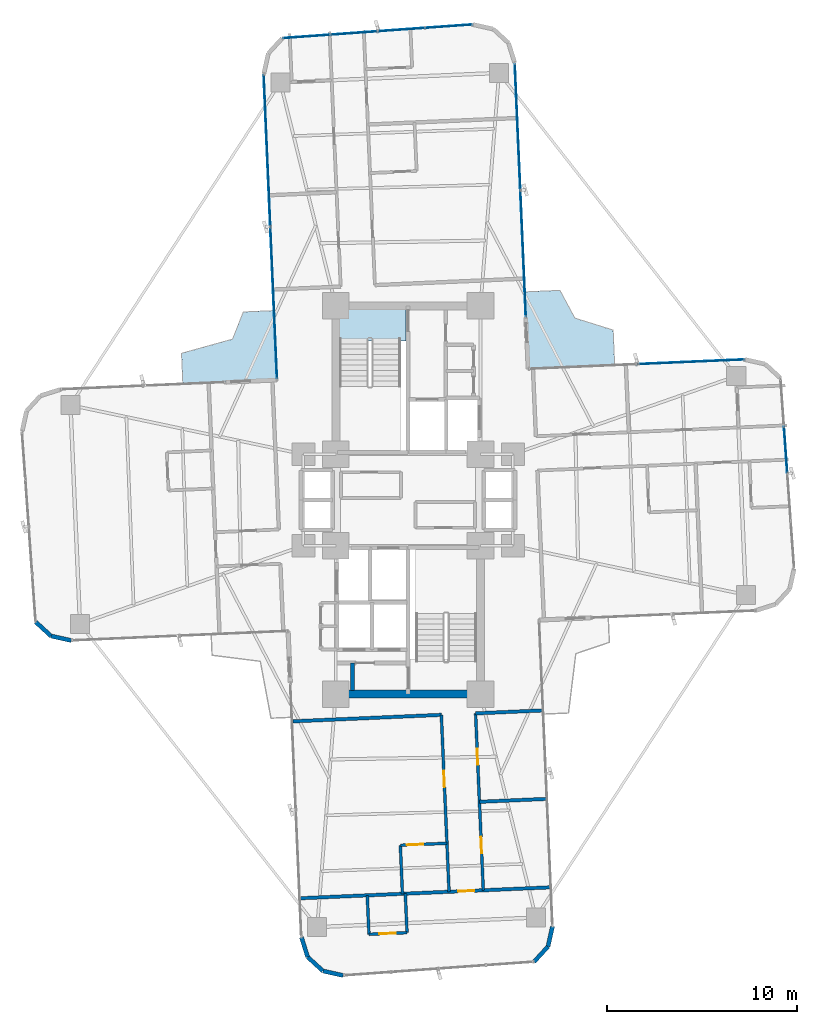
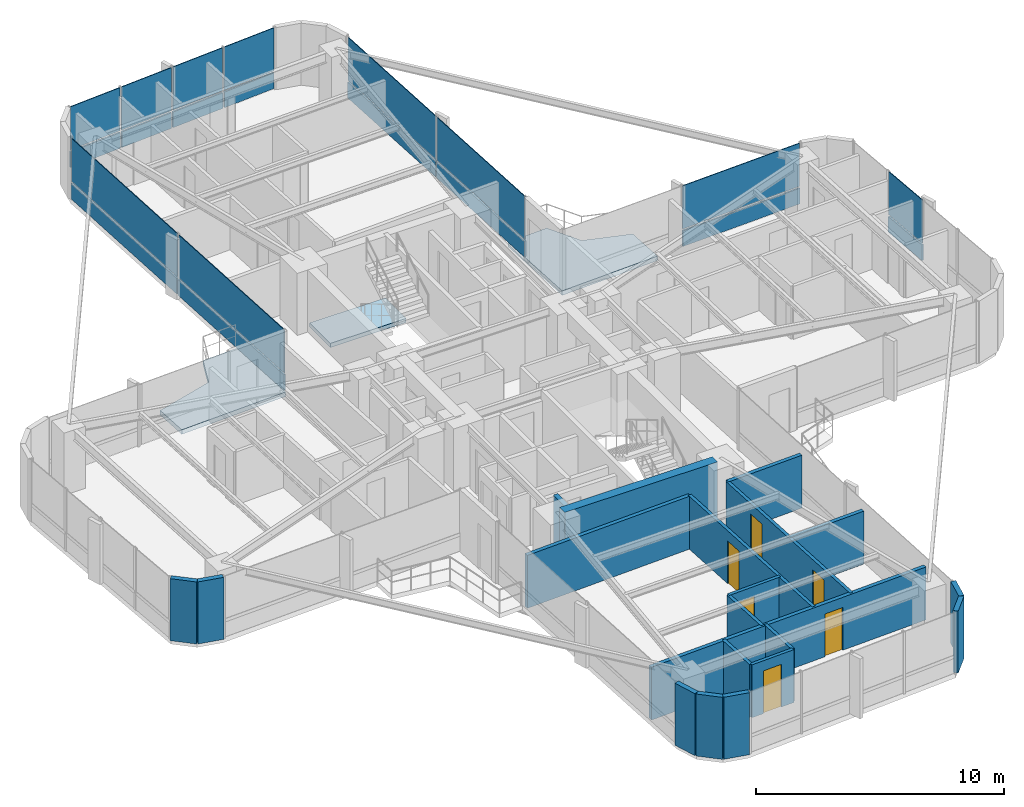
# One storey, part 22 of 27: 20 plates, 20 walls, 6 doors, 3 slabs, 6 openings, 5 elements without a shape of their own.
"""IFC4 building model written with IfcOpenShell, lengths in metres."""

from ifc_helpers import new_model, si_unit, direction, frame, frame_2d, origin, origin_2d, place, context, subcontext, project, spatial, polyline, rectangle, outline, extrude, source, transform, mapped, material, layer, layer_set, type_object, element, fill, aggregate, save


model = new_model("IFC4")

# Units and contexts
model_context = context("Model", 3, precision=1e-05, world=origin(), true_north=direction((0.0, 1.0)))
body_context = subcontext(model_context, "Body", "Model", "MODEL_VIEW")
ifc_project = project(units=[si_unit("LENGTHUNIT", "METRE"), si_unit("AREAUNIT", "SQUARE_METRE"), si_unit("VOLUMEUNIT", "CUBIC_METRE"), si_unit("PLANEANGLEUNIT", "RADIAN"), si_unit("MASSUNIT", "GRAM", prefix="KILO")], contexts=[model_context])

# Site, building, storey
site_placement = place(None, origin())
site = spatial("IfcSite", under=ifc_project, at=site_placement, CompositionType="ELEMENT")
building_placement = place(site_placement, origin())
building = spatial("IfcBuilding", under=site, at=building_placement, Name="Sahyath Konkavel Grand Hotel", CompositionType="ELEMENT")
storey_placement = place(building_placement, frame((0.0, 0.0, 103.60009765625)))
storey = spatial("IfcBuildingStorey", under=building, at=storey_placement, Name="L28", CompositionType="ELEMENT", Elevation=103.60009765625)

# Slabs
ifc_material_1 = material(Name="Concrete C40/50", Category="concrete")
ifc_layer_1 = layer(ifc_material_1, 0.219970703125)
ifc_layer_set_1 = layer_set([ifc_layer_1], Name="Concrete C40/50")
slab_type_1 = type_object("IfcSlabType", Name="SLB-BALCONY-220", PredefinedType="FLOOR", material=ifc_layer_set_1)
slab_1_placement = place(storey_placement, frame((0.0, 0.0, -0.22021484375)))
element("IfcSlab", 1, at=slab_1_placement, inside=storey, type_object=slab_type_1, Name="L28 Winter-Garden Balcony NE", PredefinedType="FLOOR", context=body_context, shape_type="SweptSolid", body=[
    extrude(outline(polyline([(6.305908203125, 6.881591796875), (10.848388671875, 7.079833984375), (10.76806640625, 8.92431640625), (8.755615234375, 9.554931640625), (7.973388671875, 11.01123046875), (6.12890625, 10.9306640625), (6.305908203125, 6.881591796875)])), origin(), (0.0, 0.0, 1.0), 0.22021484375),
])
slab_2_placement = place(storey_placement, frame((0.0, 0.0, -0.22021484375)))
element("IfcSlab", 2, at=slab_2_placement, inside=storey, type_object=slab_type_1, Name="L28 Winter-Garden Balcony NW", PredefinedType="FLOOR", context=body_context, shape_type="SweptSolid", body=[
    extrude(outline(polyline([(-6.881591796875, 6.305908203125), (-7.04052734375, 9.947509765625), (-8.65478515625, 9.876953125), (-9.221435546875, 8.44970703125), (-11.90234375, 7.703857421875), (-11.831787109375, 6.089599609375), (-6.881591796875, 6.305908203125)])), origin(), (0.0, 0.0, 1.0), 0.22021484375),
])
ifc_layer_2 = layer(ifc_material_1, 0.199951171875)
ifc_layer_set_2 = layer_set([ifc_layer_2], Name="Concrete C40/50")
slab_type_2 = type_object("IfcSlabType", Name="SLB-STAIR-LND", PredefinedType="LANDING", material=ifc_layer_set_2)
slab_3_placement = place(storey_placement, frame((0.0, 0.0, -0.2001953125)))
element("IfcSlab", 3, at=slab_3_placement, inside=storey, type_object=slab_type_2, Name="L28 Stair ST-1 Floor Landing Slab", PredefinedType="LANDING", context=body_context, shape_type="SweptSolid", body=[
    extrude(outline(polyline([(-3.6201171875, 8.35009765625), (-0.10009765625, 8.35009765625), (-0.10009765625, 10.02001953125), (-3.6201171875, 10.02001953125), (-3.6201171875, 8.35009765625)])), origin(), (0.0, 0.0, 1.0), 0.2001953125),
])

# Curtain wall, plate
ifc_material_2 = material(Name="Anodised Bronze Aluminium & Low-E Glazing", Category="aluminium")
curtain_wall_type = type_object("IfcCurtainWallType", Name="CW-ZONE2", PredefinedType="NOTDEFINED", material=ifc_material_2)
curtain_wall_1_placement = place(storey_placement, origin())
curtain_wall_1 = element("IfcCurtainWall", 4, at=curtain_wall_1_placement, inside=storey, type_object=curtain_wall_type, Name="L28 Unitised Curtain Wall F4", PredefinedType="NOTDEFINED")
ifc_material_3 = material(Name="Warm Buff Sandstone Cladding", Category="masonry")
ifc_layer_3 = layer(ifc_material_3, 0.074951171875)
ifc_layer_set_3 = layer_set([ifc_layer_3], Name="Warm Buff Sandstone Cladding")
plate_type_1 = type_object("IfcPlateType", Name="PNL-SPANDREL-STONE", PredefinedType="SHEET", material=ifc_layer_set_3)
shared_shape_1 = source(origin(), body_context, "Body", "SweptSolid", [
    extrude(rectangle(XDim=2.41357421875, YDim=0.074951171875, at=origin_2d()), origin(), (0.0, 0.0, 1.0), 0.77001953125),
])
plate_1_placement = place(storey_placement, frame((19.828369140625, 2.638671875, 0.039794921875), z_axis=(0.0, 0.0, 1.0), x_axis=(-0.071567078661, 0.997435789037, 0.0)))
plate_1 = element("IfcPlate", 5, at=plate_1_placement, type_object=plate_type_1, Name="L28 Sandstone Relief Spandrel Panel F4-2", PredefinedType="SHEET", context=body_context, shape_type="MappedRepresentation", body=[
    mapped(shared_shape_1, transform((0.0, 0.0, 0.0), scale=1.0)),
])

# Curtain wall, plates
curtain_wall_2_placement = place(storey_placement, origin())
curtain_wall_2 = element("IfcCurtainWall", 6, at=curtain_wall_2_placement, inside=storey, type_object=curtain_wall_type, Name="L28 Unitised Curtain Wall F12", PredefinedType="NOTDEFINED")
plate_2_placement = place(storey_placement, frame((2.130615234375, 24.880615234375, 0.039794921875), z_axis=(0.0, 0.0, 1.0), x_axis=(-0.997435789037, -0.071567078661, 0.0)))
plate_2 = element("IfcPlate", 7, at=plate_2_placement, type_object=plate_type_1, Name="L28 Sandstone Relief Spandrel Panel F12-0", PredefinedType="SHEET", context=body_context, shape_type="MappedRepresentation", body=[
    mapped(shared_shape_1, transform((0.0, 0.0, 0.0), scale=1.0)),
])
plate_3_placement = place(storey_placement, frame((-0.356689453125, 24.7021484375, 0.039794921875), z_axis=(0.0, 0.0, 1.0), x_axis=(-0.997435789037, -0.071567078661, 0.0)))
plate_3 = element("IfcPlate", 8, at=plate_3_placement, type_object=plate_type_1, Name="L28 Sandstone Relief Spandrel Panel F12-1", PredefinedType="SHEET", context=body_context, shape_type="MappedRepresentation", body=[
    mapped(shared_shape_1, transform((0.0, 0.0, 0.0), scale=1.0)),
])
plate_4_placement = place(storey_placement, frame((-2.84375, 24.523681640625, 0.039794921875), z_axis=(0.0, 0.0, 1.0), x_axis=(-0.997435789037, -0.071567078661, 0.0)))
plate_4 = element("IfcPlate", 9, at=plate_4_placement, type_object=plate_type_1, Name="L28 Sandstone Relief Spandrel Panel F12-2", PredefinedType="SHEET", context=body_context, shape_type="MappedRepresentation", body=[
    mapped(shared_shape_1, transform((0.0, 0.0, 0.0), scale=1.0)),
])
plate_5_placement = place(storey_placement, frame((-5.330810546875, 24.34521484375, 0.039794921875), z_axis=(0.0, 0.0, 1.0), x_axis=(-0.997435789037, -0.071567078661, 0.0)))
plate_5 = element("IfcPlate", 10, at=plate_5_placement, type_object=plate_type_1, Name="L28 Sandstone Relief Spandrel Panel F12-3", PredefinedType="SHEET", context=body_context, shape_type="MappedRepresentation", body=[
    mapped(shared_shape_1, transform((0.0, 0.0, 0.0), scale=1.0)),
])

# Curtain wall, plate
curtain_wall_3_placement = place(storey_placement, origin())
curtain_wall_3 = element("IfcCurtainWall", 11, at=curtain_wall_3_placement, inside=storey, type_object=curtain_wall_type, Name="L28 Unitised Curtain Wall F7", PredefinedType="NOTDEFINED")
shared_shape_2 = source(origin(), body_context, "Body", "SweptSolid", [
    extrude(rectangle(XDim=5.580078125, YDim=0.074951171875, at=origin_2d()), origin(), (0.0, 0.0, 1.0), 0.77001953125),
])
plate_6_placement = place(storey_placement, frame((14.82763671875, 7.25390625, 0.039794921875), z_axis=(0.0, 0.0, 1.0), x_axis=(-0.999048221582, -0.043619387365, 0.0)))
plate_6 = element("IfcPlate", 12, at=plate_6_placement, type_object=plate_type_1, Name="L28 Sandstone Relief Spandrel Panel F7-0", PredefinedType="SHEET", context=body_context, shape_type="MappedRepresentation", body=[
    mapped(shared_shape_2, transform((0.0, 0.0, 0.0), scale=1.0)),
])

# Curtain wall, plates
curtain_wall_4_placement = place(storey_placement, origin())
curtain_wall_4 = element("IfcCurtainWall", 13, at=curtain_wall_4_placement, inside=storey, type_object=curtain_wall_type, Name="L28 Unitised Curtain Wall F8", PredefinedType="NOTDEFINED")
shared_shape_3 = source(origin(), body_context, "Body", "SweptSolid", [
    extrude(rectangle(XDim=6.580078125, YDim=0.074951171875, at=origin_2d()), origin(), (0.0, 0.0, 1.0), 0.77001953125),
])
plate_7_placement = place(storey_placement, frame((6.041015625, 12.94580078125, 0.039794921875), z_axis=(0.0, 0.0, 1.0), x_axis=(-0.043619387365, 0.999048221582, 0.0)))
plate_7 = element("IfcPlate", 14, at=plate_7_placement, type_object=plate_type_1, Name="L28 Sandstone Relief Spandrel Panel F8-0", PredefinedType="SHEET", context=body_context, shape_type="MappedRepresentation", body=[
    mapped(shared_shape_3, transform((0.0, 0.0, 0.0), scale=1.0)),
])
plate_8_placement = place(storey_placement, frame((5.75048828125, 19.599609375, 0.039794921875), z_axis=(0.0, 0.0, 1.0), x_axis=(-0.043619387365, 0.999048221582, 0.0)))
plate_8 = element("IfcPlate", 15, at=plate_8_placement, type_object=plate_type_1, Name="L28 Sandstone Relief Spandrel Panel F8-1", PredefinedType="SHEET", context=body_context, shape_type="MappedRepresentation", body=[
    mapped(shared_shape_3, transform((0.0, 0.0, 0.0), scale=1.0)),
])

curtain_wall_5_placement = place(storey_placement, origin())
curtain_wall_5 = element("IfcCurtainWall", 16, at=curtain_wall_5_placement, inside=storey, type_object=curtain_wall_type, Name="L28 Unitised Curtain Wall F15", PredefinedType="NOTDEFINED")
shared_shape_4 = source(origin(), body_context, "Body", "SweptSolid", [
    extrude(rectangle(XDim=7.929931640625, YDim=0.074951171875, at=origin_2d()), origin(), (0.0, 0.0, 1.0), 0.77001953125),
])
plate_9_placement = place(storey_placement, frame((-7.407470703125, 18.349365234375, 0.039794921875), z_axis=(0.0, 0.0, 1.0), x_axis=(0.043619387365, -0.999048221582, 0.0)))
plate_9 = element("IfcPlate", 17, at=plate_9_placement, type_object=plate_type_1, Name="L28 Sandstone Relief Spandrel Panel F15-0", PredefinedType="SHEET", context=body_context, shape_type="MappedRepresentation", body=[
    mapped(shared_shape_4, transform((0.0, 0.0, 0.0), scale=1.0)),
])
plate_10_placement = place(storey_placement, frame((-7.05810546875, 10.346923828125, 0.039794921875), z_axis=(0.0, 0.0, 1.0), x_axis=(0.043619387365, -0.999048221582, 0.0)))
plate_10 = element("IfcPlate", 18, at=plate_10_placement, type_object=plate_type_1, Name="L28 Sandstone Relief Spandrel Panel F15-1", PredefinedType="SHEET", context=body_context, shape_type="MappedRepresentation", body=[
    mapped(shared_shape_4, transform((0.0, 0.0, 0.0), scale=1.0)),
])

# Plate
ifc_material_4 = material(Name="Low-E Solar Control Double Glazing", Category="glass")
ifc_layer_4 = layer(ifc_material_4, 0.035888671875)
ifc_layer_set_4 = layer_set([ifc_layer_4], Name="Low-E Solar Control Double Glazing")
plate_type_2 = type_object("IfcPlateType", Name="PNL-VISION-LOWE", PredefinedType="CURTAIN_PANEL", material=ifc_layer_set_4)
shared_shape_5 = source(origin(), body_context, "Body", "SweptSolid", [
    extrude(rectangle(XDim=2.41357421875, YDim=0.035888671875, at=origin_2d()), origin(), (0.0, 0.0, 1.0), 2.1201171875),
])
plate_11_placement = place(storey_placement, frame((19.828369140625, 2.638671875, 0.889892578125), z_axis=(0.0, 0.0, 1.0), x_axis=(-0.071567078661, 0.997435789037, 0.0)))
plate_11 = element("IfcPlate", 19, at=plate_11_placement, type_object=plate_type_2, Name="L28 Low-E Vision Glazing Panel F4-2", PredefinedType="CURTAIN_PANEL", context=body_context, shape_type="MappedRepresentation", body=[
    mapped(shared_shape_5, transform((0.0, 0.0, 0.0), scale=1.0)),
])

aggregate(curtain_wall_1, [plate_1, plate_11])

plate_12_placement = place(storey_placement, frame((2.130615234375, 24.880615234375, 0.889892578125), z_axis=(0.0, 0.0, 1.0), x_axis=(-0.997435789037, -0.071567078661, 0.0)))
plate_12 = element("IfcPlate", 20, at=plate_12_placement, type_object=plate_type_2, Name="L28 Low-E Vision Glazing Panel F12-0", PredefinedType="CURTAIN_PANEL", context=body_context, shape_type="MappedRepresentation", body=[
    mapped(shared_shape_5, transform((0.0, 0.0, 0.0), scale=1.0)),
])

plate_13_placement = place(storey_placement, frame((-0.356689453125, 24.7021484375, 0.889892578125), z_axis=(0.0, 0.0, 1.0), x_axis=(-0.997435789037, -0.071567078661, 0.0)))
plate_13 = element("IfcPlate", 21, at=plate_13_placement, type_object=plate_type_2, Name="L28 Low-E Vision Glazing Panel F12-1", PredefinedType="CURTAIN_PANEL", context=body_context, shape_type="MappedRepresentation", body=[
    mapped(shared_shape_5, transform((0.0, 0.0, 0.0), scale=1.0)),
])

plate_14_placement = place(storey_placement, frame((-2.84375, 24.523681640625, 0.889892578125), z_axis=(0.0, 0.0, 1.0), x_axis=(-0.997435789037, -0.071567078661, 0.0)))
plate_14 = element("IfcPlate", 22, at=plate_14_placement, type_object=plate_type_2, Name="L28 Low-E Vision Glazing Panel F12-2", PredefinedType="CURTAIN_PANEL", context=body_context, shape_type="MappedRepresentation", body=[
    mapped(shared_shape_5, transform((0.0, 0.0, 0.0), scale=1.0)),
])

plate_15_placement = place(storey_placement, frame((-5.330810546875, 24.34521484375, 0.889892578125), z_axis=(0.0, 0.0, 1.0), x_axis=(-0.997435789037, -0.071567078661, 0.0)))
plate_15 = element("IfcPlate", 23, at=plate_15_placement, type_object=plate_type_2, Name="L28 Low-E Vision Glazing Panel F12-3", PredefinedType="CURTAIN_PANEL", context=body_context, shape_type="MappedRepresentation", body=[
    mapped(shared_shape_5, transform((0.0, 0.0, 0.0), scale=1.0)),
])

aggregate(curtain_wall_2, [plate_2, plate_12, plate_3, plate_13, plate_4, plate_14, plate_5, plate_15])

shared_shape_6 = source(origin(), body_context, "Body", "SweptSolid", [
    extrude(rectangle(XDim=5.580078125, YDim=0.035888671875, at=origin_2d()), origin(), (0.0, 0.0, 1.0), 2.1201171875),
])
plate_16_placement = place(storey_placement, frame((14.82763671875, 7.25390625, 0.889892578125), z_axis=(0.0, 0.0, 1.0), x_axis=(-0.999048221582, -0.043619387365, 0.0)))
plate_16 = element("IfcPlate", 24, at=plate_16_placement, type_object=plate_type_2, Name="L28 Low-E Vision Glazing Panel F7-0", PredefinedType="CURTAIN_PANEL", context=body_context, shape_type="MappedRepresentation", body=[
    mapped(shared_shape_6, transform((0.0, 0.0, 0.0), scale=1.0)),
])

aggregate(curtain_wall_3, [plate_6, plate_16])

shared_shape_7 = source(origin(), body_context, "Body", "SweptSolid", [
    extrude(rectangle(XDim=6.580078125, YDim=0.035888671875, at=origin_2d()), origin(), (0.0, 0.0, 1.0), 2.1201171875),
])
plate_17_placement = place(storey_placement, frame((6.041015625, 12.94580078125, 0.889892578125), z_axis=(0.0, 0.0, 1.0), x_axis=(-0.043619387365, 0.999048221582, 0.0)))
plate_17 = element("IfcPlate", 25, at=plate_17_placement, type_object=plate_type_2, Name="L28 Low-E Vision Glazing Panel F8-0", PredefinedType="CURTAIN_PANEL", context=body_context, shape_type="MappedRepresentation", body=[
    mapped(shared_shape_7, transform((0.0, 0.0, 0.0), scale=1.0)),
])

plate_18_placement = place(storey_placement, frame((5.75048828125, 19.599609375, 0.889892578125), z_axis=(0.0, 0.0, 1.0), x_axis=(-0.043619387365, 0.999048221582, 0.0)))
plate_18 = element("IfcPlate", 26, at=plate_18_placement, type_object=plate_type_2, Name="L28 Low-E Vision Glazing Panel F8-1", PredefinedType="CURTAIN_PANEL", context=body_context, shape_type="MappedRepresentation", body=[
    mapped(shared_shape_7, transform((0.0, 0.0, 0.0), scale=1.0)),
])

aggregate(curtain_wall_4, [plate_7, plate_17, plate_8, plate_18])

shared_shape_8 = source(origin(), body_context, "Body", "SweptSolid", [
    extrude(rectangle(XDim=7.929931640625, YDim=0.035888671875, at=origin_2d()), origin(), (0.0, 0.0, 1.0), 2.1201171875),
])
plate_19_placement = place(storey_placement, frame((-7.407470703125, 18.349365234375, 0.889892578125), z_axis=(0.0, 0.0, 1.0), x_axis=(0.043619387365, -0.999048221582, 0.0)))
plate_19 = element("IfcPlate", 27, at=plate_19_placement, type_object=plate_type_2, Name="L28 Low-E Vision Glazing Panel F15-0", PredefinedType="CURTAIN_PANEL", context=body_context, shape_type="MappedRepresentation", body=[
    mapped(shared_shape_8, transform((0.0, 0.0, 0.0), scale=1.0)),
])

plate_20_placement = place(storey_placement, frame((-7.05810546875, 10.346923828125, 0.889892578125), z_axis=(0.0, 0.0, 1.0), x_axis=(0.043619387365, -0.999048221582, 0.0)))
plate_20 = element("IfcPlate", 28, at=plate_20_placement, type_object=plate_type_2, Name="L28 Low-E Vision Glazing Panel F15-1", PredefinedType="CURTAIN_PANEL", context=body_context, shape_type="MappedRepresentation", body=[
    mapped(shared_shape_8, transform((0.0, 0.0, 0.0), scale=1.0)),
])

aggregate(curtain_wall_5, [plate_9, plate_19, plate_10, plate_20])

# Walls
ifc_material_5 = material(Name="Concrete C50/60", Category="concrete")
ifc_layer_5 = layer(ifc_material_5, 0.419921875)
ifc_layer_set_5 = layer_set([ifc_layer_5], Name="Concrete C50/60")
wall_type_1 = type_object("IfcWallType", Name="CWALL-420", PredefinedType="SHEAR", material=ifc_layer_set_5)
wall_1_placement = place(storey_placement, frame((-3.550048828125, -10.199951171875, 0.0), z_axis=(0.0, 0.0, 1.0), x_axis=(1.0, 0.0, 0.0)))
element("IfcWall", 29, at=wall_1_placement, inside=storey, type_object=wall_type_1, Name="L28 South Core Shear Wall S", PredefinedType="SHEAR", context=body_context, shape_type="SweptSolid", body=[
    extrude(rectangle(XDim=7.10009765625, YDim=0.419921875, at=frame_2d((3.550048828125, 0.0))), origin(), (0.0, 0.0, 1.0), 3.0498046875),
])
ifc_material_6 = material(Name="Warm Buff Sandstone Insulated Concrete C40/50", Category="masonry")
ifc_layer_6 = layer(ifc_material_6, 0.219970703125)
ifc_layer_set_6 = layer_set([ifc_layer_6], Name="Warm Buff Sandstone Insulated Concrete C40/50")
wall_type_2 = type_object("IfcWallType", Name="WLL-BALC-THRESH", PredefinedType="STANDARD", material=ifc_layer_set_6)
wall_2_placement = place(storey_placement, frame((-19.5576171875, -6.4091796875, 0.0), z_axis=(0.0, 0.0, 1.0), x_axis=(0.737210081318, -0.675663596772, 0.0)))
element("IfcWall", 30, at=wall_2_placement, inside=storey, type_object=wall_type_2, Name="L28 Rounded Corner Sandstone Pier 21", PredefinedType="STANDARD", context=body_context, shape_type="SweptSolid", body=[
    extrude(rectangle(XDim=1.0869140625, YDim=0.219970703125, at=frame_2d((0.54345703125, 0.0))), origin(), (0.0, 0.0, 1.0), 3.0498046875),
])
wall_3_placement = place(storey_placement, frame((-18.75634765625, -7.1435546875, 0.0), z_axis=(0.0, 0.0, 1.0), x_axis=(0.976282085775, -0.216502399514, 0.0)))
element("IfcWall", 31, at=wall_3_placement, inside=storey, type_object=wall_type_2, Name="L28 Rounded Corner Sandstone Pier 22", PredefinedType="STANDARD", context=body_context, shape_type="SweptSolid", body=[
    extrude(rectangle(XDim=1.087158203125, YDim=0.219970703125, at=frame_2d((0.54345703125, 0.0))), origin(), (0.0, 0.0, 1.0), 3.0498046875),
])
wall_4_placement = place(storey_placement, frame((-5.603515625, -22.96630859375, 0.0), z_axis=(0.0, 0.0, 1.0), x_axis=(0.300755105707, -0.953701403161, 0.0)))
element("IfcWall", 32, at=wall_4_placement, inside=storey, type_object=wall_type_2, Name="L28 Rounded Corner Sandstone Pier 25", PredefinedType="STANDARD", context=body_context, shape_type="SweptSolid", body=[
    extrude(rectangle(XDim=1.0869140625, YDim=0.219970703125, at=frame_2d((0.54345703125, 0.0))), origin(), (0.0, 0.0, 1.0), 3.0498046875),
])
wall_5_placement = place(storey_placement, frame((-5.276611328125, -24.0029296875, 0.0), z_axis=(0.0, 0.0, 1.0), x_axis=(0.737312600672, -0.675551721847, 0.0)))
element("IfcWall", 33, at=wall_5_placement, inside=storey, type_object=wall_type_2, Name="L28 Rounded Corner Sandstone Pier 26", PredefinedType="STANDARD", context=body_context, shape_type="SweptSolid", body=[
    extrude(rectangle(XDim=1.087158203125, YDim=0.219970703125, at=frame_2d((0.54345703125, 0.0))), origin(), (0.0, 0.0, 1.0), 3.0498046875),
])
for number, where, z_axis, x_axis, name in (
    (34, (-4.47509765625, -24.7373046875, 0.0), (0.0, 0.0, 1.0), (0.976271555154, -0.216549880158, 0.0), "L28 Rounded Corner Sandstone Pier 27"),
    (35, (6.6142578125, -24.253173828125, 0.0), (0.0, 0.0, 1.0), (0.675663596772, 0.737210081318, 0.0), "L28 Rounded Corner Sandstone Pier 29"),
):
    element("IfcWall", number, at=place(storey_placement, frame(where, z_axis=z_axis, x_axis=x_axis)), inside=storey, type_object=wall_type_2, Name=name, PredefinedType="STANDARD", context=body_context, shape_type="SweptSolid", body=[
        extrude(rectangle(XDim=1.0869140625, YDim=0.219970703125, at=frame_2d((0.54345703125, 0.0))), origin(), (0.0, 0.0, 1.0), 3.0498046875),
    ])
wall_6_placement = place(storey_placement, frame((7.3486328125, -23.451904296875, 0.0), z_axis=(0.0, 0.0, 1.0), x_axis=(0.216454939174, 0.976292609471, 0.0)))
element("IfcWall", 36, at=wall_6_placement, inside=storey, type_object=wall_type_2, Name="L28 Rounded Corner Sandstone Pier 30", PredefinedType="STANDARD", context=body_context, shape_type="SweptSolid", body=[
    extrude(rectangle(XDim=1.08740234375, YDim=0.219970703125, at=frame_2d((0.543701171875, 0.0))), origin(), (0.0, 0.0, 1.0), 3.0498046875),
])
ifc_layer_7 = layer(ifc_material_1, 0.199951171875)
ifc_layer_set_7 = layer_set([ifc_layer_7], Name="Concrete C40/50")
wall_type_3 = type_object("IfcWallType", Name="WLL-CORE-200", PredefinedType="SOLIDWALL", material=ifc_layer_set_7)
wall_7_placement = place(storey_placement, frame((-2.919921875, -10.0, 0.0), z_axis=(0.0, 0.0, 1.0), x_axis=(0.0, 1.0, 0.0)))
element("IfcWall", 37, at=wall_7_placement, inside=storey, type_object=wall_type_3, Name="L28 Partition SFF-W2", PredefinedType="SOLIDWALL", context=body_context, shape_type="SweptSolid", body=[
    extrude(rectangle(XDim=1.43994140625, YDim=0.199951171875, at=frame_2d((0.719970703125, 0.0))), origin(), (0.0, 0.0, 1.0), 2.599853515625),
])
ifc_material_7 = material(Name="Twin-Stud Acoustic Gypsum Plasterboard Partition")
ifc_layer_8 = layer(ifc_material_7, 0.179931640625)
ifc_layer_set_8 = layer_set([ifc_layer_8], Name="Twin-Stud Acoustic Gypsum Plasterboard Partition")
wall_type_4 = type_object("IfcWallType", Name="WLL-DEMISE-180", PredefinedType="PARTITIONING", material=ifc_layer_set_8)
wall_8_placement = place(storey_placement, frame((3.542236328125, -11.206298828125, 0.0), z_axis=(0.0, 0.0, 1.0), x_axis=(0.999046129111, 0.04366728647, 0.0)))
element("IfcWall", 38, at=wall_8_placement, inside=storey, type_object=wall_type_4, Name="L28 Partition S-INL", PredefinedType="PARTITIONING", context=body_context, shape_type="SweptSolid", body=[
    extrude(rectangle(XDim=3.5, YDim=0.179931640625, at=frame_2d((1.75, 0.0))), origin(), (0.0, 0.0, 1.0), 2.599853515625),
])
wall_9_placement = place(storey_placement, frame((-6.048583984375, -11.625, 0.0), z_axis=(0.0, 0.0, 1.0), x_axis=(0.999047634936, 0.043632821702, 0.0)))
element("IfcWall", 39, at=wall_9_placement, inside=storey, type_object=wall_type_4, Name="L28 Partition S-INR", PredefinedType="PARTITIONING", context=body_context, shape_type="SweptSolid", body=[
    extrude(rectangle(XDim=7.7998046875, YDim=0.179931640625, at=frame_2d((3.89990234375, 0.0))), origin(), (0.0, 0.0, 1.0), 2.599853515625),
])
wall_10_placement = place(storey_placement, frame((3.7451171875, -15.851806640625, 0.0), z_axis=(0.0, 0.0, 1.0), x_axis=(0.999049169846, 0.043597663116, 0.0)))
element("IfcWall", 40, at=wall_10_placement, inside=storey, type_object=wall_type_4, Name="L28 Partition S-S4L1-DEM", PredefinedType="PARTITIONING", context=body_context, shape_type="SweptSolid", body=[
    extrude(rectangle(XDim=3.5, YDim=0.179931640625, at=frame_2d((1.75, 0.0))), origin(), (0.0, 0.0, 1.0), 2.599853515625),
])

# Wall, opening, door
wall_11_placement = place(storey_placement, frame((-5.64306640625, -20.916015625, 0.0), z_axis=(0.0, 0.0, 1.0), x_axis=(0.999047841598, 0.043628089563, 0.0)))
wall_11 = element("IfcWall", 41, at=wall_11_placement, inside=storey, type_object=wall_type_4, Name="L28 Partition S-STIP-END", PredefinedType="PARTITIONING", context=body_context, shape_type="SweptSolid", body=[
    extrude(rectangle(XDim=13.10009765625, YDim=0.179931640625, at=frame_2d((6.550048828125, 0.0))), origin(), (0.0, 0.0, 1.0), 2.599853515625),
])
opening_1_placement = place(wall_11_placement, frame((8.27490234375, 0.0, 0.0)))
opening_1 = element("IfcOpeningElement", 42, at=opening_1_placement, cuts=wall_11, Name="Opening D-F06D", PredefinedType="OPENING", context=body_context, shape_type="SweptSolid", body=[
    extrude(rectangle(XDim=0.85009765625, YDim=2.10009765625, at=frame_2d((0.425048828125, 1.050048828125))), frame((0.0, 0.10009765625, 0.0), z_axis=(0.0, -1.0, 0.0), x_axis=(1.0, 0.0, 0.0)), (0.0, 0.0, 1.0), 0.199951171875),
])
ifc_material_8 = material(Name="Fire-Rated Shaft Access Door")
door_type_1 = type_object("IfcDoorType", Name="DR-FD60-850", OperationType="NOTDEFINED", PredefinedType="DOOR", material=ifc_material_8)
shared_shape_9 = source(origin(), body_context, "Body", "SweptSolid", [
    extrude(rectangle(XDim=0.85009765625, YDim=0.050048828125, at=origin_2d()), origin(), (0.0, 0.0, 1.0), 2.10009765625),
])
door_1_placement = place(opening_1_placement, frame((0.425048828125, 0.0, 0.0)))
door_1 = element("IfcDoor", 43, at=door_1_placement, inside=storey, type_object=door_type_1, Name="L28 Door S-STIP-ED", OperationType="SINGLE_SWING_RIGHT", OverallHeight=2.10009765625, OverallWidth=0.85009765625, PredefinedType="DOOR", context=body_context, shape_type="MappedRepresentation", body=[
    mapped(shared_shape_9, transform((0.0, 0.0, 0.0), scale=1.0)),
])
fill(opening_1, door_1)

# Wall, openings, doors
ifc_material_9 = material(Name="Fire-Rated Gypsum Plasterboard Partition")
ifc_layer_9 = layer(ifc_material_9, 0.14990234375)
ifc_layer_set_9 = layer_set([ifc_layer_9], Name="Fire-Rated Gypsum Plasterboard Partition")
wall_type_5 = type_object("IfcWallType", Name="WLL-PART-150", PredefinedType="PARTITIONING", material=ifc_layer_set_9)
wall_12_placement = place(storey_placement, frame((3.542236328125, -11.206298828125, 0.0), z_axis=(0.0, 0.0, 1.0), x_axis=(0.043604692074, -0.999048863084, 0.0)))
wall_12 = element("IfcWall", 44, at=wall_12_placement, inside=storey, type_object=wall_type_5, Name="L28 Partition S-CL", PredefinedType="PARTITIONING", context=body_context, shape_type="SweptSolid", body=[
    extrude(rectangle(XDim=9.2998046875, YDim=0.14990234375, at=frame_2d((4.64990234375, 0.0))), origin(), (0.0, 0.0, 1.0), 2.599853515625),
])
opening_2_placement = place(wall_12_placement, frame((1.85009765625, 0.0, 0.0)))
opening_2 = element("IfcOpeningElement", 45, at=opening_2_placement, cuts=wall_12, Name="Opening D-F06D", PredefinedType="OPENING", context=body_context, shape_type="SweptSolid", body=[
    extrude(rectangle(XDim=0.85009765625, YDim=2.10009765625, at=frame_2d((0.425048828125, 1.050048828125))), frame((0.0, 0.0849609375, 0.0), z_axis=(0.0, -1.0, 0.0), x_axis=(1.0, 0.0, 0.0)), (0.0, 0.0, 1.0), 0.169921875),
])
opening_3_placement = place(wall_12_placement, frame((6.5, 0.0, 0.0)))
opening_3 = element("IfcOpeningElement", 46, at=opening_3_placement, cuts=wall_12, Name="Opening D-F06D", PredefinedType="OPENING", context=body_context, shape_type="SweptSolid", body=[
    extrude(rectangle(XDim=0.85009765625, YDim=2.10009765625, at=frame_2d((0.425048828125, 1.050048828125))), frame((0.0, 0.0849609375, 0.0), z_axis=(0.0, -1.0, 0.0), x_axis=(1.0, 0.0, 0.0)), (0.0, 0.0, 1.0), 0.169921875),
])
door_2_placement = place(opening_2_placement, frame((0.425048828125, 0.0, 0.0)))
door_2 = element("IfcDoor", 47, at=door_2_placement, inside=storey, type_object=door_type_1, Name="L28 Door S-S4L1-D", OperationType="SINGLE_SWING_LEFT", OverallHeight=2.10009765625, OverallWidth=0.85009765625, PredefinedType="DOOR", context=body_context, shape_type="MappedRepresentation", body=[
    mapped(shared_shape_9, transform((0.0, 0.0, 0.0), scale=1.0)),
])
fill(opening_2, door_2)
door_3_placement = place(opening_3_placement, frame((0.425048828125, 0.0, 0.0)))
door_3 = element("IfcDoor", 48, at=door_3_placement, inside=storey, type_object=door_type_1, Name="L28 Door S-S4L2-D", OperationType="SINGLE_SWING_RIGHT", OverallHeight=2.10009765625, OverallWidth=0.85009765625, PredefinedType="DOOR", context=body_context, shape_type="MappedRepresentation", body=[
    mapped(shared_shape_9, transform((0.0, 0.0, 0.0), scale=1.0)),
])
fill(opening_3, door_3)

# Wall, opening, door
wall_13_placement = place(storey_placement, frame((1.743896484375, -11.28466796875, 0.0), z_axis=(0.0, 0.0, 1.0), x_axis=(0.043630894187, -0.999047719117, 0.0)))
wall_13 = element("IfcWall", 49, at=wall_13_placement, inside=storey, type_object=wall_type_5, Name="L28 Partition S-CR", PredefinedType="PARTITIONING", context=body_context, shape_type="SweptSolid", body=[
    extrude(rectangle(XDim=9.2998046875, YDim=0.14990234375, at=frame_2d((4.64990234375, 0.0))), origin(), (0.0, 0.0, 1.0), 2.599853515625),
])
opening_4_placement = place(wall_13_placement, frame((2.949951171875, 0.0, 0.0)))
opening_4 = element("IfcOpeningElement", 50, at=opening_4_placement, cuts=wall_13, Name="Opening D-F06D", PredefinedType="OPENING", context=body_context, shape_type="SweptSolid", body=[
    extrude(rectangle(XDim=0.85009765625, YDim=2.10009765625, at=frame_2d((0.425048828125, 1.050048828125))), frame((0.0, 0.0849609375, 0.0), z_axis=(0.0, -1.0, 0.0), x_axis=(1.0, 0.0, 0.0)), (0.0, 0.0, 1.0), 0.169921875),
])
door_4_placement = place(opening_4_placement, frame((0.425048828125, 0.0, 0.0)))
door_4 = element("IfcDoor", 51, at=door_4_placement, inside=storey, type_object=door_type_1, Name="L28 Door S-S4R1-ED", OperationType="SINGLE_SWING_RIGHT", OverallHeight=2.10009765625, OverallWidth=0.85009765625, PredefinedType="DOOR", context=body_context, shape_type="MappedRepresentation", body=[
    mapped(shared_shape_9, transform((0.0, 0.0, 0.0), scale=1.0)),
])
fill(opening_4, door_4)

wall_14_placement = place(storey_placement, frame((2.038330078125, -18.0283203125, 0.0), z_axis=(0.0, 0.0, 1.0), x_axis=(-0.999051263243, -0.043549666039, 0.0)))
wall_14 = element("IfcWall", 52, at=wall_14_placement, inside=storey, type_object=wall_type_5, Name="L28 Partition S-S4R1-BS", PredefinedType="PARTITIONING", context=body_context, shape_type="SweptSolid", body=[
    extrude(rectangle(XDim=2.449951171875, YDim=0.14990234375, at=frame_2d((1.22509765625, 0.0))), origin(), (0.0, 0.0, 1.0), 2.599853515625),
])
opening_5_placement = place(wall_14_placement, frame((1.25, 0.0, 0.0)))
opening_5 = element("IfcOpeningElement", 53, at=opening_5_placement, cuts=wall_14, Name="Opening D-BT85", PredefinedType="OPENING", context=body_context, shape_type="SweptSolid", body=[
    extrude(rectangle(XDim=0.85009765625, YDim=2.10009765625, at=frame_2d((0.425048828125, 1.050048828125))), frame((0.0, 0.0849609375, 0.0), z_axis=(0.0, -1.0, 0.0), x_axis=(1.0, 0.0, 0.0)), (0.0, 0.0, 1.0), 0.169921875),
])
ifc_material_10 = material(Name="Moisture-Resistant Teak Bathroom Door")
door_type_2 = type_object("IfcDoorType", Name="DR-BATH-850", OperationType="NOTDEFINED", PredefinedType="DOOR", material=ifc_material_10)
door_5_placement = place(opening_5_placement, frame((0.425048828125, 0.0, 0.0)))
door_5 = element("IfcDoor", 54, at=door_5_placement, inside=storey, type_object=door_type_2, Name="L28 Door S-S4R1-BD", OperationType="SINGLE_SWING_LEFT", OverallHeight=2.10009765625, OverallWidth=0.85009765625, PredefinedType="DOOR", context=body_context, shape_type="MappedRepresentation", body=[
    mapped(shared_shape_9, transform((0.0, 0.0, 0.0), scale=1.0)),
])
fill(opening_5, door_5)

# Walls
wall_15_placement = place(storey_placement, frame((-0.4091796875, -18.135009765625, 0.0), z_axis=(0.0, 0.0, 1.0), x_axis=(0.043561867058, -0.999050731314, 0.0)))
element("IfcWall", 55, at=wall_15_placement, inside=storey, type_object=wall_type_5, Name="L28 Partition S-S4R1-BF", PredefinedType="PARTITIONING", context=body_context, shape_type="SweptSolid", body=[
    extrude(rectangle(XDim=2.550048828125, YDim=0.14990234375, at=frame_2d((1.27490234375, 0.0))), origin(), (0.0, 0.0, 1.0), 2.599853515625),
])
wall_16_placement = place(storey_placement, frame((-0.148193359375, -20.676025390625, 0.0), z_axis=(0.0, 0.0, 1.0), x_axis=(0.043587097972, -0.999049630844, 0.0)))
element("IfcWall", 56, at=wall_16_placement, inside=storey, type_object=wall_type_5, Name="L28 Partition S-STIP-BN", PredefinedType="PARTITIONING", context=body_context, shape_type="SweptSolid", body=[
    extrude(rectangle(XDim=2.050048828125, YDim=0.14990234375, at=frame_2d((1.02490234375, 0.0))), origin(), (0.0, 0.0, 1.0), 2.599853515625),
])
wall_17_placement = place(storey_placement, frame((-2.146484375, -20.763427734375, 0.0), z_axis=(0.0, 0.0, 1.0), x_axis=(0.043711161805, -0.9990442104, 0.0)))
element("IfcWall", 57, at=wall_17_placement, inside=storey, type_object=wall_type_5, Name="L28 Partition S-STIP-BS", PredefinedType="PARTITIONING", context=body_context, shape_type="SweptSolid", body=[
    extrude(rectangle(XDim=2.0498046875, YDim=0.14990234375, at=frame_2d((1.02490234375, 0.0))), origin(), (0.0, 0.0, 1.0), 2.599853515625),
])

# Wall, opening, door
wall_18_placement = place(storey_placement, frame((-2.056884765625, -22.811279296875, 0.0), z_axis=(0.0, 0.0, 1.0), x_axis=(0.999049929275, 0.043580257179, 0.0)))
wall_18 = element("IfcWall", 58, at=wall_18_placement, inside=storey, type_object=wall_type_5, Name="L28 Partition S-STIP-BE", PredefinedType="PARTITIONING", context=body_context, shape_type="SweptSolid", body=[
    extrude(rectangle(XDim=2.0, YDim=0.14990234375, at=frame_2d((1.0, 0.0))), origin(), (0.0, 0.0, 1.0), 2.599853515625),
])
opening_6_placement = place(wall_18_placement, frame((0.550048828125, 0.0, 0.0)))
opening_6 = element("IfcOpeningElement", 59, at=opening_6_placement, cuts=wall_18, Name="Opening D-BT85", PredefinedType="OPENING", context=body_context, shape_type="SweptSolid", body=[
    extrude(rectangle(XDim=0.85009765625, YDim=2.10009765625, at=frame_2d((0.425048828125, 1.050048828125))), frame((0.0, 0.0849609375, 0.0), z_axis=(0.0, -1.0, 0.0), x_axis=(1.0, 0.0, 0.0)), (0.0, 0.0, 1.0), 0.169921875),
])
door_6_placement = place(opening_6_placement, frame((0.425048828125, 0.0, 0.0)))
door_6 = element("IfcDoor", 60, at=door_6_placement, inside=storey, type_object=door_type_2, Name="L28 Door S-STIP-BD", OperationType="SINGLE_SWING_LEFT", OverallHeight=2.10009765625, OverallWidth=0.85009765625, PredefinedType="DOOR", context=body_context, shape_type="MappedRepresentation", body=[
    mapped(shared_shape_9, transform((0.0, 0.0, 0.0), scale=1.0)),
])
fill(opening_6, door_6)

save(model, "model.ifc")
